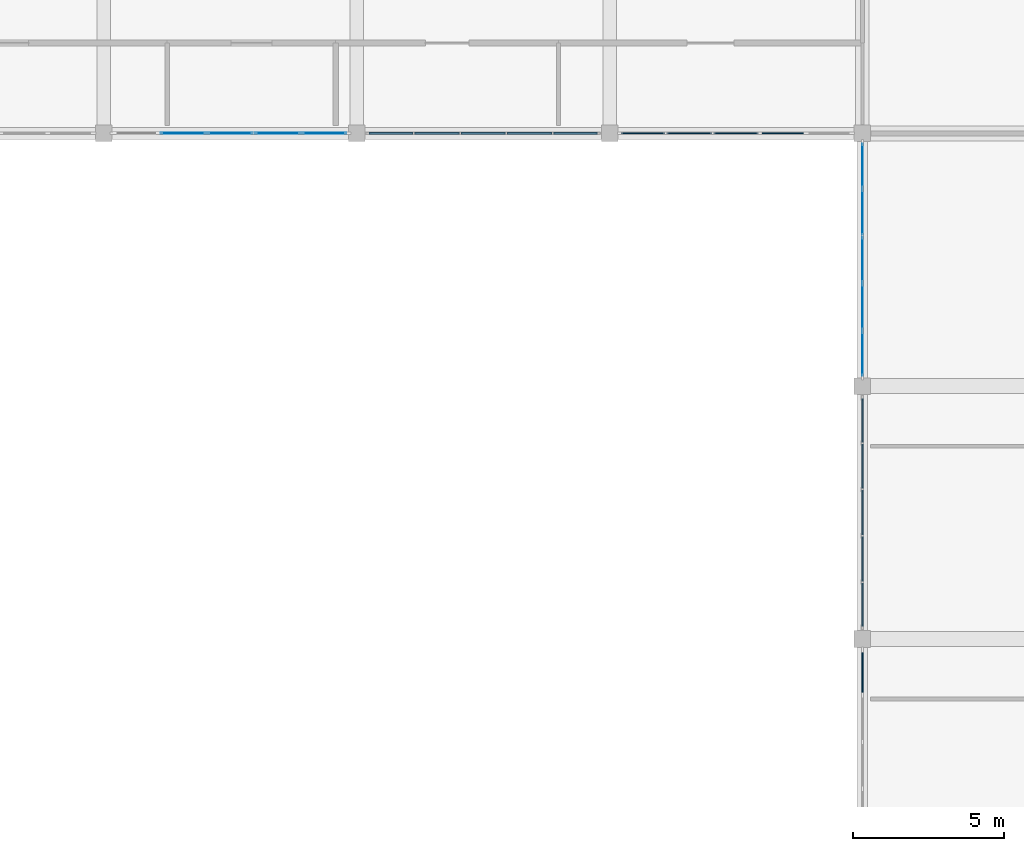
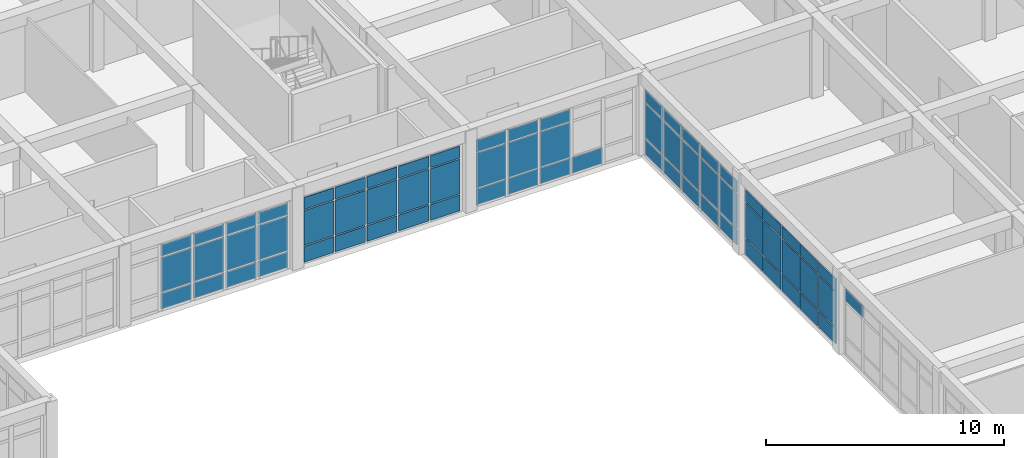
# One storey, part 41 of 77: 68 plates, 6 elements without a shape of their own.
"""IFC4 building model written with IfcOpenShell, lengths in metres."""

from ifc_helpers import new_model, si_unit, direction, frame, origin, origin_2d, place, context, subcontext, project, spatial, rectangle, extrude, material, layer, layer_set, type_object, element, aggregate, save


model = new_model("IFC4")

# Units and contexts
model_context = context("Model", 3, precision=1e-05, world=origin(), true_north=direction((0.0, 1.0)))
body_context = subcontext(model_context, "Body", "Model", "MODEL_VIEW")
ifc_project = project(units=[si_unit("LENGTHUNIT", "METRE"), si_unit("AREAUNIT", "SQUARE_METRE"), si_unit("VOLUMEUNIT", "CUBIC_METRE"), si_unit("PLANEANGLEUNIT", "RADIAN"), si_unit("MASSUNIT", "GRAM", prefix="KILO")], contexts=[model_context])

# Site, building, storey
site_placement = place(None, origin())
site = spatial("IfcSite", under=ifc_project, at=site_placement, CompositionType="ELEMENT")
building_placement = place(site_placement, origin())
building = spatial("IfcBuilding", under=site, at=building_placement, Name="Varncliffe General Hospital", CompositionType="ELEMENT")
storey_placement = place(building_placement, frame((0.0, 0.0, 16.199951171875)))
storey = spatial("IfcBuildingStorey", under=building, at=storey_placement, Name="L03", CompositionType="ELEMENT", Elevation=16.199951171875)

# Curtain wall, plate
ifc_material_1 = material(Name="Triple low-E argon insulated vision glazing", Category="glass")
curtain_wall_type_1 = type_object("IfcCurtainWallType", Name="Unitised Glazed Curtain Wall CW23 (7774x3440)", PredefinedType="USERDEFINED", material=ifc_material_1)
curtain_wall_1_placement = place(storey_placement, origin())
curtain_wall_1 = element("IfcCurtainWall", 1, at=curtain_wall_1_placement, inside=storey, type_object=curtain_wall_type_1, Name="L03 Glazed Curtain Wall CW23-166", ObjectType="GLAZED CURTAIN WALL", PredefinedType="USERDEFINED")
ifc_layer_1 = layer(ifc_material_1, 0.035888671875)
ifc_layer_set_1 = layer_set([ifc_layer_1], Name="Triple low-E argon insulated vision glazing")
plate_type_1 = type_object("IfcPlateType", Name="Curtain Wall Glazing Panel CP27 (36mm)", PredefinedType="CURTAIN_PANEL", material=ifc_layer_set_1)
plate_1_placement = place(storey_placement, frame((151.199951171875, 64.890869140625, 2.77001953125), z_axis=(0.0, 0.0, 1.0), x_axis=(0.0, 1.0, 0.0)))
plate_1 = element("IfcPlate", 2, at=plate_1_placement, type_object=plate_type_1, Name="CW23 panel 5.3", PredefinedType="CURTAIN_PANEL", context=body_context, shape_type="SweptSolid", body=[
    extrude(rectangle(XDim=1.4423828125, YDim=0.035888671875, at=origin_2d()), origin(), (0.0, 0.0, 1.0), 0.610107421875),
])
aggregate(curtain_wall_1, [plate_1])

# Curtain wall, plates
curtain_wall_2_placement = place(storey_placement, origin())
curtain_wall_2 = element("IfcCurtainWall", 3, at=curtain_wall_2_placement, inside=storey, type_object=curtain_wall_type_1, Name="L03 Glazed Curtain Wall CW23-169", ObjectType="GLAZED CURTAIN WALL", PredefinedType="USERDEFINED")
plate_2_placement = place(storey_placement, frame((148.5546875, 82.800048828125, 0.06005859375), z_axis=(0.0, 0.0, 1.0), x_axis=(-1.0, 0.0, 0.0)))
plate_2 = element("IfcPlate", 4, at=plate_2_placement, type_object=plate_type_1, Name="CW23 panel 2.1", PredefinedType="CURTAIN_PANEL", context=body_context, shape_type="SweptSolid", body=[
    extrude(rectangle(XDim=1.479736328125, YDim=0.035888671875, at=origin_2d()), origin(), (0.0, 0.0, 1.0), 0.81005859375),
])
plate_3_placement = place(storey_placement, frame((147.0, 82.800048828125, 0.06005859375), z_axis=(0.0, 0.0, 1.0), x_axis=(-1.0, 0.0, 0.0)))
plate_3 = element("IfcPlate", 5, at=plate_3_placement, type_object=plate_type_1, Name="CW23 panel 3.1", PredefinedType="CURTAIN_PANEL", context=body_context, shape_type="SweptSolid", body=[
    extrude(rectangle(XDim=1.479736328125, YDim=0.035888671875, at=origin_2d()), origin(), (0.0, 0.0, 1.0), 0.81005859375),
])
plate_4_placement = place(storey_placement, frame((147.0, 82.800048828125, 0.93017578125), z_axis=(0.0, 0.0, 1.0), x_axis=(-1.0, 0.0, 0.0)))
plate_4 = element("IfcPlate", 6, at=plate_4_placement, type_object=plate_type_1, Name="CW23 panel 3.2", PredefinedType="CURTAIN_PANEL", context=body_context, shape_type="SweptSolid", body=[
    extrude(rectangle(XDim=1.479736328125, YDim=0.035888671875, at=origin_2d()), origin(), (0.0, 0.0, 1.0), 1.780029296875),
])
plate_5_placement = place(storey_placement, frame((147.0, 82.800048828125, 2.77001953125), z_axis=(0.0, 0.0, 1.0), x_axis=(-1.0, 0.0, 0.0)))
plate_5 = element("IfcPlate", 7, at=plate_5_placement, type_object=plate_type_1, Name="CW23 panel 3.3", PredefinedType="CURTAIN_PANEL", context=body_context, shape_type="SweptSolid", body=[
    extrude(rectangle(XDim=1.479736328125, YDim=0.035888671875, at=origin_2d()), origin(), (0.0, 0.0, 1.0), 0.610107421875),
])
plate_6_placement = place(storey_placement, frame((145.4453125, 82.800048828125, 0.06005859375), z_axis=(0.0, 0.0, 1.0), x_axis=(-1.0, 0.0, 0.0)))
plate_6 = element("IfcPlate", 8, at=plate_6_placement, type_object=plate_type_1, Name="CW23 panel 4.1", PredefinedType="CURTAIN_PANEL", context=body_context, shape_type="SweptSolid", body=[
    extrude(rectangle(XDim=1.479736328125, YDim=0.035888671875, at=origin_2d()), origin(), (0.0, 0.0, 1.0), 0.81005859375),
])
plate_7_placement = place(storey_placement, frame((145.4453125, 82.800048828125, 0.93017578125), z_axis=(0.0, 0.0, 1.0), x_axis=(-1.0, 0.0, 0.0)))
plate_7 = element("IfcPlate", 9, at=plate_7_placement, type_object=plate_type_1, Name="CW23 panel 4.2", PredefinedType="CURTAIN_PANEL", context=body_context, shape_type="SweptSolid", body=[
    extrude(rectangle(XDim=1.479736328125, YDim=0.035888671875, at=origin_2d()), origin(), (0.0, 0.0, 1.0), 1.780029296875),
])
plate_8_placement = place(storey_placement, frame((145.4453125, 82.800048828125, 2.77001953125), z_axis=(0.0, 0.0, 1.0), x_axis=(-1.0, 0.0, 0.0)))
plate_8 = element("IfcPlate", 10, at=plate_8_placement, type_object=plate_type_1, Name="CW23 panel 4.3", PredefinedType="CURTAIN_PANEL", context=body_context, shape_type="SweptSolid", body=[
    extrude(rectangle(XDim=1.479736328125, YDim=0.035888671875, at=origin_2d()), origin(), (0.0, 0.0, 1.0), 0.610107421875),
])
plate_9_placement = place(storey_placement, frame((143.9091796875, 82.800048828125, 0.06005859375), z_axis=(0.0, 0.0, 1.0), x_axis=(-1.0, 0.0, 0.0)))
plate_9 = element("IfcPlate", 11, at=plate_9_placement, type_object=plate_type_1, Name="CW23 panel 5.1", PredefinedType="CURTAIN_PANEL", context=body_context, shape_type="SweptSolid", body=[
    extrude(rectangle(XDim=1.4423828125, YDim=0.035888671875, at=origin_2d()), origin(), (0.0, 0.0, 1.0), 0.81005859375),
])
plate_10_placement = place(storey_placement, frame((143.9091796875, 82.800048828125, 0.93017578125), z_axis=(0.0, 0.0, 1.0), x_axis=(-1.0, 0.0, 0.0)))
plate_10 = element("IfcPlate", 12, at=plate_10_placement, type_object=plate_type_1, Name="CW23 panel 5.2", PredefinedType="CURTAIN_PANEL", context=body_context, shape_type="SweptSolid", body=[
    extrude(rectangle(XDim=1.4423828125, YDim=0.035888671875, at=origin_2d()), origin(), (0.0, 0.0, 1.0), 1.780029296875),
])
plate_11_placement = place(storey_placement, frame((143.9091796875, 82.800048828125, 2.77001953125), z_axis=(0.0, 0.0, 1.0), x_axis=(-1.0, 0.0, 0.0)))
plate_11 = element("IfcPlate", 13, at=plate_11_placement, type_object=plate_type_1, Name="CW23 panel 5.3", PredefinedType="CURTAIN_PANEL", context=body_context, shape_type="SweptSolid", body=[
    extrude(rectangle(XDim=1.4423828125, YDim=0.035888671875, at=origin_2d()), origin(), (0.0, 0.0, 1.0), 0.610107421875),
])
aggregate(curtain_wall_2, [plate_2, plate_3, plate_4, plate_5, plate_6, plate_7, plate_8, plate_9, plate_10, plate_11])

curtain_wall_type_2 = type_object("IfcCurtainWallType", Name="Unitised Glazed Curtain Wall CW37 (7694x3440)", PredefinedType="USERDEFINED", material=ifc_material_1)
curtain_wall_3_placement = place(storey_placement, origin())
curtain_wall_3 = element("IfcCurtainWall", 14, at=curtain_wall_3_placement, inside=storey, type_object=curtain_wall_type_2, Name="L03 Glazed Curtain Wall CW37-167", ObjectType="GLAZED CURTAIN WALL", PredefinedType="USERDEFINED")
ifc_material_2 = material(Name="Insulated ceramic-fritted spandrel glazing panel", Category="glass")
ifc_layer_2 = layer(ifc_material_2, 0.06396484375)
ifc_layer_set_2 = layer_set([ifc_layer_2], Name="Insulated ceramic-fritted spandrel glazing panel")
plate_type_2 = type_object("IfcPlateType", Name="Curtain Wall Glazing Panel CP41 (64mm)", PredefinedType="CURTAIN_PANEL", material=ifc_layer_set_2)
plate_12_placement = place(storey_placement, frame((151.199951171875, 67.138671875, 0.06005859375), z_axis=(0.0, 0.0, 1.0), x_axis=(0.0, 1.0, 0.0)))
plate_12 = element("IfcPlate", 15, at=plate_12_placement, type_object=plate_type_2, Name="CW37 panel 1.1", PredefinedType="CURTAIN_PANEL", context=body_context, shape_type="SweptSolid", body=[
    extrude(rectangle(XDim=1.44140625, YDim=0.06396484375, at=origin_2d()), origin(), (0.0, 0.0, 1.0), 0.81005859375),
])
plate_13_placement = place(storey_placement, frame((151.199951171875, 67.138671875, 0.93017578125), z_axis=(0.0, 0.0, 1.0), x_axis=(0.0, 1.0, 0.0)))
plate_13 = element("IfcPlate", 16, at=plate_13_placement, type_object=plate_type_2, Name="CW37 panel 1.2", PredefinedType="CURTAIN_PANEL", context=body_context, shape_type="SweptSolid", body=[
    extrude(rectangle(XDim=1.44140625, YDim=0.06396484375, at=origin_2d()), origin(), (0.0, 0.0, 1.0), 1.780029296875),
])
plate_14_placement = place(storey_placement, frame((151.199951171875, 67.138671875, 2.77001953125), z_axis=(0.0, 0.0, 1.0), x_axis=(0.0, 1.0, 0.0)))
plate_14 = element("IfcPlate", 17, at=plate_14_placement, type_object=plate_type_2, Name="CW37 panel 1.3", PredefinedType="CURTAIN_PANEL", context=body_context, shape_type="SweptSolid", body=[
    extrude(rectangle(XDim=1.44140625, YDim=0.06396484375, at=origin_2d()), origin(), (0.0, 0.0, 1.0), 0.610107421875),
])
plate_15_placement = place(storey_placement, frame((151.199951171875, 68.6611328125, 0.06005859375), z_axis=(0.0, 0.0, 1.0), x_axis=(0.0, 1.0, 0.0)))
plate_15 = element("IfcPlate", 18, at=plate_15_placement, type_object=plate_type_2, Name="CW37 panel 2.1", PredefinedType="CURTAIN_PANEL", context=body_context, shape_type="SweptSolid", body=[
    extrude(rectangle(XDim=1.473876953125, YDim=0.06396484375, at=origin_2d()), origin(), (0.0, 0.0, 1.0), 0.81005859375),
])
plate_16_placement = place(storey_placement, frame((151.199951171875, 68.6611328125, 0.93017578125), z_axis=(0.0, 0.0, 1.0), x_axis=(0.0, 1.0, 0.0)))
plate_16 = element("IfcPlate", 19, at=plate_16_placement, type_object=plate_type_2, Name="CW37 panel 2.2", PredefinedType="CURTAIN_PANEL", context=body_context, shape_type="SweptSolid", body=[
    extrude(rectangle(XDim=1.473876953125, YDim=0.06396484375, at=origin_2d()), origin(), (0.0, 0.0, 1.0), 1.780029296875),
])
plate_17_placement = place(storey_placement, frame((151.199951171875, 68.6611328125, 2.77001953125), z_axis=(0.0, 0.0, 1.0), x_axis=(0.0, 1.0, 0.0)))
plate_17 = element("IfcPlate", 20, at=plate_17_placement, type_object=plate_type_2, Name="CW37 panel 2.3", PredefinedType="CURTAIN_PANEL", context=body_context, shape_type="SweptSolid", body=[
    extrude(rectangle(XDim=1.473876953125, YDim=0.06396484375, at=origin_2d()), origin(), (0.0, 0.0, 1.0), 0.610107421875),
])
plate_18_placement = place(storey_placement, frame((151.199951171875, 70.199951171875, 0.06005859375), z_axis=(0.0, 0.0, 1.0), x_axis=(0.0, 1.0, 0.0)))
plate_18 = element("IfcPlate", 21, at=plate_18_placement, type_object=plate_type_2, Name="CW37 panel 3.1", PredefinedType="CURTAIN_PANEL", context=body_context, shape_type="SweptSolid", body=[
    extrude(rectangle(XDim=1.473876953125, YDim=0.06396484375, at=origin_2d()), origin(), (0.0, 0.0, 1.0), 0.81005859375),
])
plate_19_placement = place(storey_placement, frame((151.199951171875, 70.199951171875, 0.93017578125), z_axis=(0.0, 0.0, 1.0), x_axis=(0.0, 1.0, 0.0)))
plate_19 = element("IfcPlate", 22, at=plate_19_placement, type_object=plate_type_2, Name="CW37 panel 3.2", PredefinedType="CURTAIN_PANEL", context=body_context, shape_type="SweptSolid", body=[
    extrude(rectangle(XDim=1.473876953125, YDim=0.06396484375, at=origin_2d()), origin(), (0.0, 0.0, 1.0), 1.780029296875),
])
plate_20_placement = place(storey_placement, frame((151.199951171875, 70.199951171875, 2.77001953125), z_axis=(0.0, 0.0, 1.0), x_axis=(0.0, 1.0, 0.0)))
plate_20 = element("IfcPlate", 23, at=plate_20_placement, type_object=plate_type_2, Name="CW37 panel 3.3", PredefinedType="CURTAIN_PANEL", context=body_context, shape_type="SweptSolid", body=[
    extrude(rectangle(XDim=1.473876953125, YDim=0.06396484375, at=origin_2d()), origin(), (0.0, 0.0, 1.0), 0.610107421875),
])
plate_21_placement = place(storey_placement, frame((151.199951171875, 71.73876953125, 0.06005859375), z_axis=(0.0, 0.0, 1.0), x_axis=(0.0, 1.0, 0.0)))
plate_21 = element("IfcPlate", 24, at=plate_21_placement, type_object=plate_type_2, Name="CW37 panel 4.1", PredefinedType="CURTAIN_PANEL", context=body_context, shape_type="SweptSolid", body=[
    extrude(rectangle(XDim=1.473876953125, YDim=0.06396484375, at=origin_2d()), origin(), (0.0, 0.0, 1.0), 0.81005859375),
])
plate_22_placement = place(storey_placement, frame((151.199951171875, 71.73876953125, 0.93017578125), z_axis=(0.0, 0.0, 1.0), x_axis=(0.0, 1.0, 0.0)))
plate_22 = element("IfcPlate", 25, at=plate_22_placement, type_object=plate_type_2, Name="CW37 panel 4.2", PredefinedType="CURTAIN_PANEL", context=body_context, shape_type="SweptSolid", body=[
    extrude(rectangle(XDim=1.473876953125, YDim=0.06396484375, at=origin_2d()), origin(), (0.0, 0.0, 1.0), 1.780029296875),
])
plate_23_placement = place(storey_placement, frame((151.199951171875, 71.73876953125, 2.77001953125), z_axis=(0.0, 0.0, 1.0), x_axis=(0.0, 1.0, 0.0)))
plate_23 = element("IfcPlate", 26, at=plate_23_placement, type_object=plate_type_2, Name="CW37 panel 4.3", PredefinedType="CURTAIN_PANEL", context=body_context, shape_type="SweptSolid", body=[
    extrude(rectangle(XDim=1.473876953125, YDim=0.06396484375, at=origin_2d()), origin(), (0.0, 0.0, 1.0), 0.610107421875),
])
plate_24_placement = place(storey_placement, frame((151.199951171875, 73.26123046875, 0.06005859375), z_axis=(0.0, 0.0, 1.0), x_axis=(0.0, 1.0, 0.0)))
plate_24 = element("IfcPlate", 27, at=plate_24_placement, type_object=plate_type_2, Name="CW37 panel 5.1", PredefinedType="CURTAIN_PANEL", context=body_context, shape_type="SweptSolid", body=[
    extrude(rectangle(XDim=1.44140625, YDim=0.06396484375, at=origin_2d()), origin(), (0.0, 0.0, 1.0), 0.81005859375),
])
plate_25_placement = place(storey_placement, frame((151.199951171875, 73.26123046875, 0.93017578125), z_axis=(0.0, 0.0, 1.0), x_axis=(0.0, 1.0, 0.0)))
plate_25 = element("IfcPlate", 28, at=plate_25_placement, type_object=plate_type_2, Name="CW37 panel 5.2", PredefinedType="CURTAIN_PANEL", context=body_context, shape_type="SweptSolid", body=[
    extrude(rectangle(XDim=1.44140625, YDim=0.06396484375, at=origin_2d()), origin(), (0.0, 0.0, 1.0), 1.780029296875),
])
plate_26_placement = place(storey_placement, frame((151.199951171875, 73.26123046875, 2.77001953125), z_axis=(0.0, 0.0, 1.0), x_axis=(0.0, 1.0, 0.0)))
plate_26 = element("IfcPlate", 29, at=plate_26_placement, type_object=plate_type_2, Name="CW37 panel 5.3", PredefinedType="CURTAIN_PANEL", context=body_context, shape_type="SweptSolid", body=[
    extrude(rectangle(XDim=1.44140625, YDim=0.06396484375, at=origin_2d()), origin(), (0.0, 0.0, 1.0), 0.610107421875),
])
aggregate(curtain_wall_3, [plate_12, plate_13, plate_14, plate_15, plate_16, plate_17, plate_18, plate_19, plate_20, plate_21, plate_22, plate_23, plate_24, plate_25, plate_26])

curtain_wall_4_placement = place(storey_placement, origin())
curtain_wall_4 = element("IfcCurtainWall", 30, at=curtain_wall_4_placement, inside=storey, type_object=curtain_wall_type_2, Name="L03 Glazed Curtain Wall CW37-170", ObjectType="GLAZED CURTAIN WALL", PredefinedType="USERDEFINED")
plate_27_placement = place(storey_placement, frame((141.661376953125, 82.800048828125, 0.06005859375), z_axis=(0.0, 0.0, 1.0), x_axis=(-1.0, 0.0, 0.0)))
plate_27 = element("IfcPlate", 31, at=plate_27_placement, type_object=plate_type_2, Name="CW37 panel 1.1", PredefinedType="CURTAIN_PANEL", context=body_context, shape_type="SweptSolid", body=[
    extrude(rectangle(XDim=1.44140625, YDim=0.06396484375, at=origin_2d()), origin(), (0.0, 0.0, 1.0), 0.81005859375),
])
plate_28_placement = place(storey_placement, frame((141.661376953125, 82.800048828125, 0.93017578125), z_axis=(0.0, 0.0, 1.0), x_axis=(-1.0, 0.0, 0.0)))
plate_28 = element("IfcPlate", 32, at=plate_28_placement, type_object=plate_type_2, Name="CW37 panel 1.2", PredefinedType="CURTAIN_PANEL", context=body_context, shape_type="SweptSolid", body=[
    extrude(rectangle(XDim=1.44140625, YDim=0.06396484375, at=origin_2d()), origin(), (0.0, 0.0, 1.0), 1.780029296875),
])
plate_29_placement = place(storey_placement, frame((141.661376953125, 82.800048828125, 2.77001953125), z_axis=(0.0, 0.0, 1.0), x_axis=(-1.0, 0.0, 0.0)))
plate_29 = element("IfcPlate", 33, at=plate_29_placement, type_object=plate_type_2, Name="CW37 panel 1.3", PredefinedType="CURTAIN_PANEL", context=body_context, shape_type="SweptSolid", body=[
    extrude(rectangle(XDim=1.44140625, YDim=0.06396484375, at=origin_2d()), origin(), (0.0, 0.0, 1.0), 0.610107421875),
])
plate_30_placement = place(storey_placement, frame((140.138916015625, 82.800048828125, 0.06005859375), z_axis=(0.0, 0.0, 1.0), x_axis=(-1.0, 0.0, 0.0)))
plate_30 = element("IfcPlate", 34, at=plate_30_placement, type_object=plate_type_2, Name="CW37 panel 2.1", PredefinedType="CURTAIN_PANEL", context=body_context, shape_type="SweptSolid", body=[
    extrude(rectangle(XDim=1.473876953125, YDim=0.06396484375, at=origin_2d()), origin(), (0.0, 0.0, 1.0), 0.81005859375),
])
plate_31_placement = place(storey_placement, frame((140.138916015625, 82.800048828125, 0.93017578125), z_axis=(0.0, 0.0, 1.0), x_axis=(-1.0, 0.0, 0.0)))
plate_31 = element("IfcPlate", 35, at=plate_31_placement, type_object=plate_type_2, Name="CW37 panel 2.2", PredefinedType="CURTAIN_PANEL", context=body_context, shape_type="SweptSolid", body=[
    extrude(rectangle(XDim=1.473876953125, YDim=0.06396484375, at=origin_2d()), origin(), (0.0, 0.0, 1.0), 1.780029296875),
])
plate_32_placement = place(storey_placement, frame((140.138916015625, 82.800048828125, 2.77001953125), z_axis=(0.0, 0.0, 1.0), x_axis=(-1.0, 0.0, 0.0)))
plate_32 = element("IfcPlate", 36, at=plate_32_placement, type_object=plate_type_2, Name="CW37 panel 2.3", PredefinedType="CURTAIN_PANEL", context=body_context, shape_type="SweptSolid", body=[
    extrude(rectangle(XDim=1.473876953125, YDim=0.06396484375, at=origin_2d()), origin(), (0.0, 0.0, 1.0), 0.610107421875),
])
plate_33_placement = place(storey_placement, frame((138.60009765625, 82.800048828125, 0.06005859375), z_axis=(0.0, 0.0, 1.0), x_axis=(-1.0, 0.0, 0.0)))
plate_33 = element("IfcPlate", 37, at=plate_33_placement, type_object=plate_type_2, Name="CW37 panel 3.1", PredefinedType="CURTAIN_PANEL", context=body_context, shape_type="SweptSolid", body=[
    extrude(rectangle(XDim=1.473876953125, YDim=0.06396484375, at=origin_2d()), origin(), (0.0, 0.0, 1.0), 0.81005859375),
])
plate_34_placement = place(storey_placement, frame((138.60009765625, 82.800048828125, 0.93017578125), z_axis=(0.0, 0.0, 1.0), x_axis=(-1.0, 0.0, 0.0)))
plate_34 = element("IfcPlate", 38, at=plate_34_placement, type_object=plate_type_2, Name="CW37 panel 3.2", PredefinedType="CURTAIN_PANEL", context=body_context, shape_type="SweptSolid", body=[
    extrude(rectangle(XDim=1.473876953125, YDim=0.06396484375, at=origin_2d()), origin(), (0.0, 0.0, 1.0), 1.780029296875),
])
plate_35_placement = place(storey_placement, frame((138.60009765625, 82.800048828125, 2.77001953125), z_axis=(0.0, 0.0, 1.0), x_axis=(-1.0, 0.0, 0.0)))
plate_35 = element("IfcPlate", 39, at=plate_35_placement, type_object=plate_type_2, Name="CW37 panel 3.3", PredefinedType="CURTAIN_PANEL", context=body_context, shape_type="SweptSolid", body=[
    extrude(rectangle(XDim=1.473876953125, YDim=0.06396484375, at=origin_2d()), origin(), (0.0, 0.0, 1.0), 0.610107421875),
])
plate_36_placement = place(storey_placement, frame((137.061279296875, 82.800048828125, 0.06005859375), z_axis=(0.0, 0.0, 1.0), x_axis=(-1.0, 0.0, 0.0)))
plate_36 = element("IfcPlate", 40, at=plate_36_placement, type_object=plate_type_2, Name="CW37 panel 4.1", PredefinedType="CURTAIN_PANEL", context=body_context, shape_type="SweptSolid", body=[
    extrude(rectangle(XDim=1.473876953125, YDim=0.06396484375, at=origin_2d()), origin(), (0.0, 0.0, 1.0), 0.81005859375),
])
plate_37_placement = place(storey_placement, frame((137.061279296875, 82.800048828125, 0.93017578125), z_axis=(0.0, 0.0, 1.0), x_axis=(-1.0, 0.0, 0.0)))
plate_37 = element("IfcPlate", 41, at=plate_37_placement, type_object=plate_type_2, Name="CW37 panel 4.2", PredefinedType="CURTAIN_PANEL", context=body_context, shape_type="SweptSolid", body=[
    extrude(rectangle(XDim=1.473876953125, YDim=0.06396484375, at=origin_2d()), origin(), (0.0, 0.0, 1.0), 1.780029296875),
])
plate_38_placement = place(storey_placement, frame((137.061279296875, 82.800048828125, 2.77001953125), z_axis=(0.0, 0.0, 1.0), x_axis=(-1.0, 0.0, 0.0)))
plate_38 = element("IfcPlate", 42, at=plate_38_placement, type_object=plate_type_2, Name="CW37 panel 4.3", PredefinedType="CURTAIN_PANEL", context=body_context, shape_type="SweptSolid", body=[
    extrude(rectangle(XDim=1.473876953125, YDim=0.06396484375, at=origin_2d()), origin(), (0.0, 0.0, 1.0), 0.610107421875),
])
plate_39_placement = place(storey_placement, frame((135.53857421875, 82.800048828125, 0.06005859375), z_axis=(0.0, 0.0, 1.0), x_axis=(-1.0, 0.0, 0.0)))
plate_39 = element("IfcPlate", 43, at=plate_39_placement, type_object=plate_type_2, Name="CW37 panel 5.1", PredefinedType="CURTAIN_PANEL", context=body_context, shape_type="SweptSolid", body=[
    extrude(rectangle(XDim=1.44140625, YDim=0.06396484375, at=origin_2d()), origin(), (0.0, 0.0, 1.0), 0.81005859375),
])
plate_40_placement = place(storey_placement, frame((135.53857421875, 82.800048828125, 0.93017578125), z_axis=(0.0, 0.0, 1.0), x_axis=(-1.0, 0.0, 0.0)))
plate_40 = element("IfcPlate", 44, at=plate_40_placement, type_object=plate_type_2, Name="CW37 panel 5.2", PredefinedType="CURTAIN_PANEL", context=body_context, shape_type="SweptSolid", body=[
    extrude(rectangle(XDim=1.44140625, YDim=0.06396484375, at=origin_2d()), origin(), (0.0, 0.0, 1.0), 1.780029296875),
])
plate_41_placement = place(storey_placement, frame((135.53857421875, 82.800048828125, 2.77001953125), z_axis=(0.0, 0.0, 1.0), x_axis=(-1.0, 0.0, 0.0)))
plate_41 = element("IfcPlate", 45, at=plate_41_placement, type_object=plate_type_2, Name="CW37 panel 5.3", PredefinedType="CURTAIN_PANEL", context=body_context, shape_type="SweptSolid", body=[
    extrude(rectangle(XDim=1.44140625, YDim=0.06396484375, at=origin_2d()), origin(), (0.0, 0.0, 1.0), 0.610107421875),
])
aggregate(curtain_wall_4, [plate_27, plate_28, plate_29, plate_30, plate_31, plate_32, plate_33, plate_34, plate_35, plate_36, plate_37, plate_38, plate_39, plate_40, plate_41])

curtain_wall_type_3 = type_object("IfcCurtainWallType", Name="Unitised Glazed Curtain Wall CW83 (7854x3440)", PredefinedType="USERDEFINED", material=ifc_material_1)
curtain_wall_5_placement = place(storey_placement, origin())
curtain_wall_5 = element("IfcCurtainWall", 46, at=curtain_wall_5_placement, inside=storey, type_object=curtain_wall_type_3, Name="L03 Glazed Curtain Wall CW83-168", ObjectType="GLAZED CURTAIN WALL", PredefinedType="USERDEFINED")
ifc_layer_3 = layer(ifc_material_1, 0.028076171875)
ifc_layer_set_3 = layer_set([ifc_layer_3], Name="Triple low-E argon insulated vision glazing")
plate_type_3 = type_object("IfcPlateType", Name="Curtain Wall Glazing Panel CP48 (28mm)", PredefinedType="CURTAIN_PANEL", material=ifc_layer_set_3)
plate_42_placement = place(storey_placement, frame((151.199951171875, 75.47705078125, 0.06494140625), z_axis=(0.0, 0.0, 1.0), x_axis=(0.0, 1.0, 0.0)))
plate_42 = element("IfcPlate", 47, at=plate_42_placement, type_object=plate_type_3, Name="CW83 panel 1.1", PredefinedType="CURTAIN_PANEL", context=body_context, shape_type="SweptSolid", body=[
    extrude(rectangle(XDim=1.458251953125, YDim=0.028076171875, at=origin_2d()), origin(), (0.0, 0.0, 1.0), 0.802490234375),
])
plate_43_placement = place(storey_placement, frame((151.199951171875, 75.47705078125, 0.9326171875), z_axis=(0.0, 0.0, 1.0), x_axis=(0.0, 1.0, 0.0)))
plate_43 = element("IfcPlate", 48, at=plate_43_placement, type_object=plate_type_3, Name="CW83 panel 1.2", PredefinedType="CURTAIN_PANEL", context=body_context, shape_type="SweptSolid", body=[
    extrude(rectangle(XDim=1.458251953125, YDim=0.028076171875, at=origin_2d()), origin(), (0.0, 0.0, 1.0), 1.77490234375),
])
plate_44_placement = place(storey_placement, frame((151.199951171875, 75.47705078125, 2.7724609375), z_axis=(0.0, 0.0, 1.0), x_axis=(0.0, 1.0, 0.0)))
plate_44 = element("IfcPlate", 49, at=plate_44_placement, type_object=plate_type_3, Name="CW83 panel 1.3", PredefinedType="CURTAIN_PANEL", context=body_context, shape_type="SweptSolid", body=[
    extrude(rectangle(XDim=1.458251953125, YDim=0.028076171875, at=origin_2d()), origin(), (0.0, 0.0, 1.0), 0.6025390625),
])
plate_45_placement = place(storey_placement, frame((151.199951171875, 77.029296875, 0.06494140625), z_axis=(0.0, 0.0, 1.0), x_axis=(0.0, 1.0, 0.0)))
plate_45 = element("IfcPlate", 50, at=plate_45_placement, type_object=plate_type_3, Name="CW83 panel 2.1", PredefinedType="CURTAIN_PANEL", context=body_context, shape_type="SweptSolid", body=[
    extrude(rectangle(XDim=1.495849609375, YDim=0.028076171875, at=origin_2d()), origin(), (0.0, 0.0, 1.0), 0.802490234375),
])
plate_46_placement = place(storey_placement, frame((151.199951171875, 77.029296875, 0.9326171875), z_axis=(0.0, 0.0, 1.0), x_axis=(0.0, 1.0, 0.0)))
plate_46 = element("IfcPlate", 51, at=plate_46_placement, type_object=plate_type_3, Name="CW83 panel 2.2", PredefinedType="CURTAIN_PANEL", context=body_context, shape_type="SweptSolid", body=[
    extrude(rectangle(XDim=1.495849609375, YDim=0.028076171875, at=origin_2d()), origin(), (0.0, 0.0, 1.0), 1.77490234375),
])
plate_47_placement = place(storey_placement, frame((151.199951171875, 77.029296875, 2.7724609375), z_axis=(0.0, 0.0, 1.0), x_axis=(0.0, 1.0, 0.0)))
plate_47 = element("IfcPlate", 52, at=plate_47_placement, type_object=plate_type_3, Name="CW83 panel 2.3", PredefinedType="CURTAIN_PANEL", context=body_context, shape_type="SweptSolid", body=[
    extrude(rectangle(XDim=1.495849609375, YDim=0.028076171875, at=origin_2d()), origin(), (0.0, 0.0, 1.0), 0.6025390625),
])
plate_48_placement = place(storey_placement, frame((151.199951171875, 78.60009765625, 0.06494140625), z_axis=(0.0, 0.0, 1.0), x_axis=(0.0, 1.0, 0.0)))
plate_48 = element("IfcPlate", 53, at=plate_48_placement, type_object=plate_type_3, Name="CW83 panel 3.1", PredefinedType="CURTAIN_PANEL", context=body_context, shape_type="SweptSolid", body=[
    extrude(rectangle(XDim=1.495849609375, YDim=0.028076171875, at=origin_2d()), origin(), (0.0, 0.0, 1.0), 0.802490234375),
])
plate_49_placement = place(storey_placement, frame((151.199951171875, 78.60009765625, 0.9326171875), z_axis=(0.0, 0.0, 1.0), x_axis=(0.0, 1.0, 0.0)))
plate_49 = element("IfcPlate", 54, at=plate_49_placement, type_object=plate_type_3, Name="CW83 panel 3.2", PredefinedType="CURTAIN_PANEL", context=body_context, shape_type="SweptSolid", body=[
    extrude(rectangle(XDim=1.495849609375, YDim=0.028076171875, at=origin_2d()), origin(), (0.0, 0.0, 1.0), 1.77490234375),
])
plate_50_placement = place(storey_placement, frame((151.199951171875, 78.60009765625, 2.7724609375), z_axis=(0.0, 0.0, 1.0), x_axis=(0.0, 1.0, 0.0)))
plate_50 = element("IfcPlate", 55, at=plate_50_placement, type_object=plate_type_3, Name="CW83 panel 3.3", PredefinedType="CURTAIN_PANEL", context=body_context, shape_type="SweptSolid", body=[
    extrude(rectangle(XDim=1.495849609375, YDim=0.028076171875, at=origin_2d()), origin(), (0.0, 0.0, 1.0), 0.6025390625),
])
plate_51_placement = place(storey_placement, frame((151.199951171875, 80.1708984375, 0.06494140625), z_axis=(0.0, 0.0, 1.0), x_axis=(0.0, 1.0, 0.0)))
plate_51 = element("IfcPlate", 56, at=plate_51_placement, type_object=plate_type_3, Name="CW83 panel 4.1", PredefinedType="CURTAIN_PANEL", context=body_context, shape_type="SweptSolid", body=[
    extrude(rectangle(XDim=1.495849609375, YDim=0.028076171875, at=origin_2d()), origin(), (0.0, 0.0, 1.0), 0.802490234375),
])
plate_52_placement = place(storey_placement, frame((151.199951171875, 80.1708984375, 0.9326171875), z_axis=(0.0, 0.0, 1.0), x_axis=(0.0, 1.0, 0.0)))
plate_52 = element("IfcPlate", 57, at=plate_52_placement, type_object=plate_type_3, Name="CW83 panel 4.2", PredefinedType="CURTAIN_PANEL", context=body_context, shape_type="SweptSolid", body=[
    extrude(rectangle(XDim=1.495849609375, YDim=0.028076171875, at=origin_2d()), origin(), (0.0, 0.0, 1.0), 1.77490234375),
])
plate_53_placement = place(storey_placement, frame((151.199951171875, 80.1708984375, 2.7724609375), z_axis=(0.0, 0.0, 1.0), x_axis=(0.0, 1.0, 0.0)))
plate_53 = element("IfcPlate", 58, at=plate_53_placement, type_object=plate_type_3, Name="CW83 panel 4.3", PredefinedType="CURTAIN_PANEL", context=body_context, shape_type="SweptSolid", body=[
    extrude(rectangle(XDim=1.495849609375, YDim=0.028076171875, at=origin_2d()), origin(), (0.0, 0.0, 1.0), 0.6025390625),
])
plate_54_placement = place(storey_placement, frame((151.199951171875, 81.722900390625, 0.06494140625), z_axis=(0.0, 0.0, 1.0), x_axis=(0.0, 1.0, 0.0)))
plate_54 = element("IfcPlate", 59, at=plate_54_placement, type_object=plate_type_3, Name="CW83 panel 5.1", PredefinedType="CURTAIN_PANEL", context=body_context, shape_type="SweptSolid", body=[
    extrude(rectangle(XDim=1.458251953125, YDim=0.028076171875, at=origin_2d()), origin(), (0.0, 0.0, 1.0), 0.802490234375),
])
plate_55_placement = place(storey_placement, frame((151.199951171875, 81.722900390625, 0.9326171875), z_axis=(0.0, 0.0, 1.0), x_axis=(0.0, 1.0, 0.0)))
plate_55 = element("IfcPlate", 60, at=plate_55_placement, type_object=plate_type_3, Name="CW83 panel 5.2", PredefinedType="CURTAIN_PANEL", context=body_context, shape_type="SweptSolid", body=[
    extrude(rectangle(XDim=1.458251953125, YDim=0.028076171875, at=origin_2d()), origin(), (0.0, 0.0, 1.0), 1.77490234375),
])
plate_56_placement = place(storey_placement, frame((151.199951171875, 81.722900390625, 2.7724609375), z_axis=(0.0, 0.0, 1.0), x_axis=(0.0, 1.0, 0.0)))
plate_56 = element("IfcPlate", 61, at=plate_56_placement, type_object=plate_type_3, Name="CW83 panel 5.3", PredefinedType="CURTAIN_PANEL", context=body_context, shape_type="SweptSolid", body=[
    extrude(rectangle(XDim=1.458251953125, YDim=0.028076171875, at=origin_2d()), origin(), (0.0, 0.0, 1.0), 0.6025390625),
])
aggregate(curtain_wall_5, [plate_42, plate_43, plate_44, plate_45, plate_46, plate_47, plate_48, plate_49, plate_50, plate_51, plate_52, plate_53, plate_54, plate_55, plate_56])

curtain_wall_6_placement = place(storey_placement, origin())
curtain_wall_6 = element("IfcCurtainWall", 62, at=curtain_wall_6_placement, inside=storey, type_object=curtain_wall_type_3, Name="L03 Glazed Curtain Wall CW83-171", ObjectType="GLAZED CURTAIN WALL", PredefinedType="USERDEFINED")
plate_57_placement = place(storey_placement, frame((133.32275390625, 82.800048828125, 0.06494140625), z_axis=(0.0, 0.0, 1.0), x_axis=(-1.0, 0.0, 0.0)))
plate_57 = element("IfcPlate", 63, at=plate_57_placement, type_object=plate_type_3, Name="CW83 panel 1.1", PredefinedType="CURTAIN_PANEL", context=body_context, shape_type="SweptSolid", body=[
    extrude(rectangle(XDim=1.458251953125, YDim=0.028076171875, at=origin_2d()), origin(), (0.0, 0.0, 1.0), 0.802490234375),
])
plate_58_placement = place(storey_placement, frame((133.32275390625, 82.800048828125, 0.9326171875), z_axis=(0.0, 0.0, 1.0), x_axis=(-1.0, 0.0, 0.0)))
plate_58 = element("IfcPlate", 64, at=plate_58_placement, type_object=plate_type_3, Name="CW83 panel 1.2", PredefinedType="CURTAIN_PANEL", context=body_context, shape_type="SweptSolid", body=[
    extrude(rectangle(XDim=1.458251953125, YDim=0.028076171875, at=origin_2d()), origin(), (0.0, 0.0, 1.0), 1.77490234375),
])
plate_59_placement = place(storey_placement, frame((133.32275390625, 82.800048828125, 2.7724609375), z_axis=(0.0, 0.0, 1.0), x_axis=(-1.0, 0.0, 0.0)))
plate_59 = element("IfcPlate", 65, at=plate_59_placement, type_object=plate_type_3, Name="CW83 panel 1.3", PredefinedType="CURTAIN_PANEL", context=body_context, shape_type="SweptSolid", body=[
    extrude(rectangle(XDim=1.458251953125, YDim=0.028076171875, at=origin_2d()), origin(), (0.0, 0.0, 1.0), 0.6025390625),
])
plate_60_placement = place(storey_placement, frame((131.770751953125, 82.800048828125, 0.06494140625), z_axis=(0.0, 0.0, 1.0), x_axis=(-1.0, 0.0, 0.0)))
plate_60 = element("IfcPlate", 66, at=plate_60_placement, type_object=plate_type_3, Name="CW83 panel 2.1", PredefinedType="CURTAIN_PANEL", context=body_context, shape_type="SweptSolid", body=[
    extrude(rectangle(XDim=1.495849609375, YDim=0.028076171875, at=origin_2d()), origin(), (0.0, 0.0, 1.0), 0.802490234375),
])
plate_61_placement = place(storey_placement, frame((131.770751953125, 82.800048828125, 0.9326171875), z_axis=(0.0, 0.0, 1.0), x_axis=(-1.0, 0.0, 0.0)))
plate_61 = element("IfcPlate", 67, at=plate_61_placement, type_object=plate_type_3, Name="CW83 panel 2.2", PredefinedType="CURTAIN_PANEL", context=body_context, shape_type="SweptSolid", body=[
    extrude(rectangle(XDim=1.495849609375, YDim=0.028076171875, at=origin_2d()), origin(), (0.0, 0.0, 1.0), 1.77490234375),
])
plate_62_placement = place(storey_placement, frame((131.770751953125, 82.800048828125, 2.7724609375), z_axis=(0.0, 0.0, 1.0), x_axis=(-1.0, 0.0, 0.0)))
plate_62 = element("IfcPlate", 68, at=plate_62_placement, type_object=plate_type_3, Name="CW83 panel 2.3", PredefinedType="CURTAIN_PANEL", context=body_context, shape_type="SweptSolid", body=[
    extrude(rectangle(XDim=1.495849609375, YDim=0.028076171875, at=origin_2d()), origin(), (0.0, 0.0, 1.0), 0.6025390625),
])
plate_63_placement = place(storey_placement, frame((130.199951171875, 82.800048828125, 0.06494140625), z_axis=(0.0, 0.0, 1.0), x_axis=(-1.0, 0.0, 0.0)))
plate_63 = element("IfcPlate", 69, at=plate_63_placement, type_object=plate_type_3, Name="CW83 panel 3.1", PredefinedType="CURTAIN_PANEL", context=body_context, shape_type="SweptSolid", body=[
    extrude(rectangle(XDim=1.495849609375, YDim=0.028076171875, at=origin_2d()), origin(), (0.0, 0.0, 1.0), 0.802490234375),
])
plate_64_placement = place(storey_placement, frame((130.199951171875, 82.800048828125, 0.9326171875), z_axis=(0.0, 0.0, 1.0), x_axis=(-1.0, 0.0, 0.0)))
plate_64 = element("IfcPlate", 70, at=plate_64_placement, type_object=plate_type_3, Name="CW83 panel 3.2", PredefinedType="CURTAIN_PANEL", context=body_context, shape_type="SweptSolid", body=[
    extrude(rectangle(XDim=1.495849609375, YDim=0.028076171875, at=origin_2d()), origin(), (0.0, 0.0, 1.0), 1.77490234375),
])
plate_65_placement = place(storey_placement, frame((130.199951171875, 82.800048828125, 2.7724609375), z_axis=(0.0, 0.0, 1.0), x_axis=(-1.0, 0.0, 0.0)))
plate_65 = element("IfcPlate", 71, at=plate_65_placement, type_object=plate_type_3, Name="CW83 panel 3.3", PredefinedType="CURTAIN_PANEL", context=body_context, shape_type="SweptSolid", body=[
    extrude(rectangle(XDim=1.495849609375, YDim=0.028076171875, at=origin_2d()), origin(), (0.0, 0.0, 1.0), 0.6025390625),
])
plate_66_placement = place(storey_placement, frame((128.629150390625, 82.800048828125, 0.06494140625), z_axis=(0.0, 0.0, 1.0), x_axis=(-1.0, 0.0, 0.0)))
plate_66 = element("IfcPlate", 72, at=plate_66_placement, type_object=plate_type_3, Name="CW83 panel 4.1", PredefinedType="CURTAIN_PANEL", context=body_context, shape_type="SweptSolid", body=[
    extrude(rectangle(XDim=1.495849609375, YDim=0.028076171875, at=origin_2d()), origin(), (0.0, 0.0, 1.0), 0.802490234375),
])
plate_67_placement = place(storey_placement, frame((128.629150390625, 82.800048828125, 0.9326171875), z_axis=(0.0, 0.0, 1.0), x_axis=(-1.0, 0.0, 0.0)))
plate_67 = element("IfcPlate", 73, at=plate_67_placement, type_object=plate_type_3, Name="CW83 panel 4.2", PredefinedType="CURTAIN_PANEL", context=body_context, shape_type="SweptSolid", body=[
    extrude(rectangle(XDim=1.495849609375, YDim=0.028076171875, at=origin_2d()), origin(), (0.0, 0.0, 1.0), 1.77490234375),
])
plate_68_placement = place(storey_placement, frame((128.629150390625, 82.800048828125, 2.7724609375), z_axis=(0.0, 0.0, 1.0), x_axis=(-1.0, 0.0, 0.0)))
plate_68 = element("IfcPlate", 74, at=plate_68_placement, type_object=plate_type_3, Name="CW83 panel 4.3", PredefinedType="CURTAIN_PANEL", context=body_context, shape_type="SweptSolid", body=[
    extrude(rectangle(XDim=1.495849609375, YDim=0.028076171875, at=origin_2d()), origin(), (0.0, 0.0, 1.0), 0.6025390625),
])
aggregate(curtain_wall_6, [plate_57, plate_58, plate_59, plate_60, plate_61, plate_62, plate_63, plate_64, plate_65, plate_66, plate_67, plate_68])

save(model, "model.ifc")
